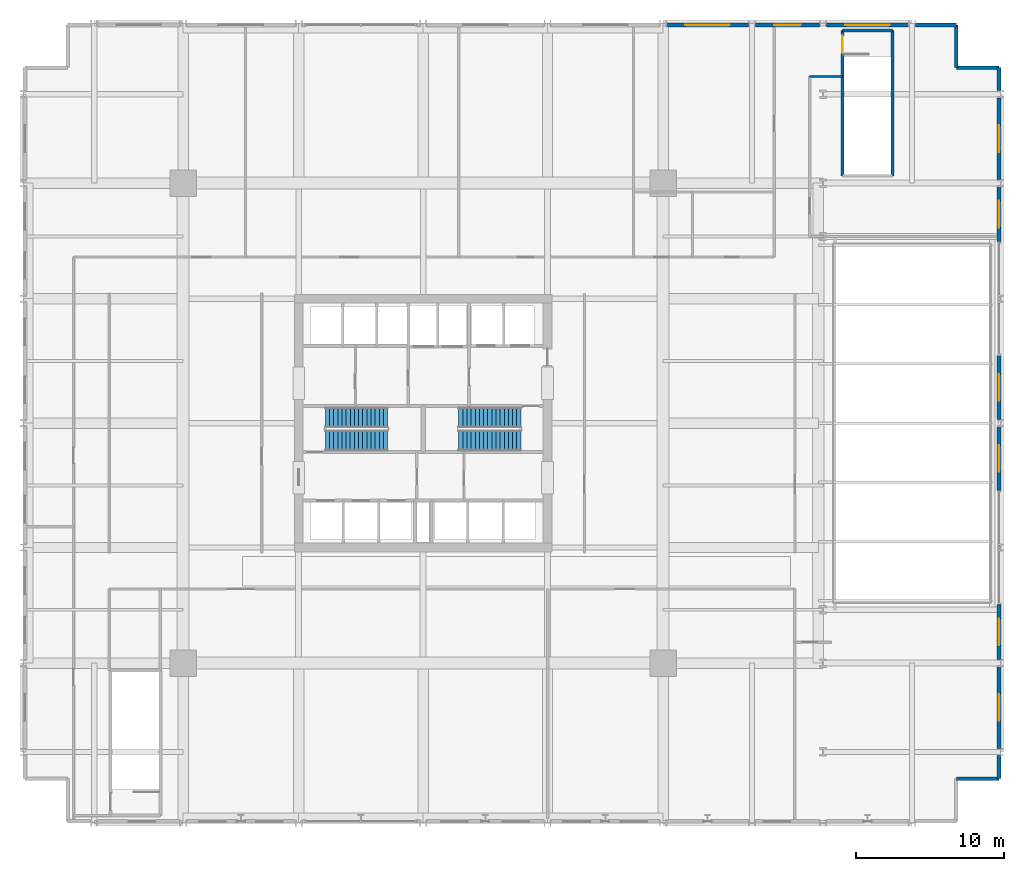
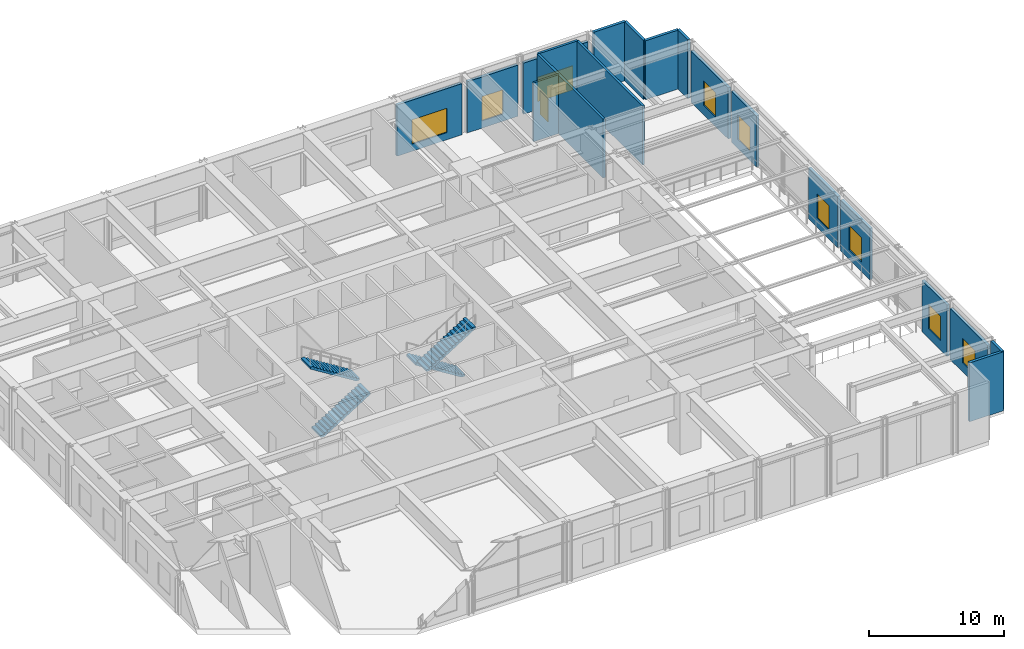
# One storey, part 14 of 19: 19 walls, 9 windows, 4 stair flights, 1 door, 10 openings, 2 elements without a shape of their own.
"""IFC4 building model written with IfcOpenShell, lengths in metres."""

import ifcopenshell
import ifcopenshell.guid

model = None  # the IFC model being written
_history = None  # IfcOwnerHistory: only IFC2X3 demands one
_inside = {}  # id of a spatial element -> (the spatial element, [elements in it])
_under = {}  # id of a project, library or spatial element -> (it, [spatial elements below it])
_declared = {}  # id of a project -> (the project, [libraries it declares])
_typed = {}  # id of a type object -> (the type object, [elements of that type])
_made_of = {}  # id of a material, layer set ... -> (it, [elements and type objects made of it])


def new_model(schema):
    """Start an empty IFC model of exactly this schema.

    Asked for "IFC4X3", IfcOpenShell would pick the latest addendum, in which some entities
    have other attributes; the version numbers below select the first issue.
    IFC2X3 requires an IfcOwnerHistory on every rooted entity: one is made here for all.
    """
    global model, _history
    if schema == "IFC4X3":
        model = ifcopenshell.file(schema_version=(4, 3, 0, 0))
    else:
        model = ifcopenshell.file(schema=schema)
    _inside.clear()
    _under.clear()
    _declared.clear()
    _typed.clear()
    _made_of.clear()
    _history = None
    if model.schema == "IFC2X3":
        org = make("IfcOrganization", Name="unknown")
        user = make(
            "IfcPersonAndOrganization",
            ThePerson=make("IfcPerson", FamilyName="unknown"),
            TheOrganization=org,
        )
        app = make(
            "IfcApplication",
            ApplicationDeveloper=org,
            Version="unknown",
            ApplicationFullName="unknown",
            ApplicationIdentifier="unknown",
        )
        _history = make(
            "IfcOwnerHistory",
            OwningUser=user,
            OwningApplication=app,
            ChangeAction="ADDED",
            CreationDate=0,
        )
    return model


def make(cls, **values):
    """One entity of the class cls with the attributes given. An attribute that is None is left unset."""
    return model.create_entity(
        cls, **{name: value for name, value in values.items() if value is not None}
    )


def rooted(cls, **values):
    """An entity with a GlobalId (a new one), such as an element, a storey or a relation."""
    return make(cls, GlobalId=ifcopenshell.guid.new(), OwnerHistory=_history, **values)


def si_unit(unit_type, name, prefix=None):
    """IfcSIUnit, for example si_unit("LENGTHUNIT", "METRE", prefix="MILLI")."""
    return make("IfcSIUnit", UnitType=unit_type, Prefix=prefix, Name=name)


def assignment(units):
    """IfcUnitAssignment: the units of a project."""
    return None if units is None else make("IfcUnitAssignment", Units=units)


def point(xyz):
    """IfcCartesianPoint."""
    return None if xyz is None else make("IfcCartesianPoint", Coordinates=xyz)


def direction(xyz):
    """IfcDirection."""
    return None if xyz is None else make("IfcDirection", DirectionRatios=xyz)


def frame(location, z_axis=None, x_axis=None):
    """IfcAxis2Placement3D, a coordinate frame: its origin and axes. An axis left out is left unset."""
    return make(
        "IfcAxis2Placement3D",
        Location=point(location),
        Axis=direction(z_axis),
        RefDirection=direction(x_axis),
    )


def frame_2d(location, x_axis=None):
    """IfcAxis2Placement2D, a coordinate frame in the plane: its origin and x axis."""
    return make(
        "IfcAxis2Placement2D", Location=point(location), RefDirection=direction(x_axis)
    )


def origin():
    """The frame at (0, 0, 0) with its axes left unset."""
    return frame((0.0, 0.0, 0.0))


def place(relative_to, where):
    """IfcLocalPlacement: puts the frame where relative to a parent placement (None: the world)."""
    return make(
        "IfcLocalPlacement", PlacementRelTo=relative_to, RelativePlacement=where
    )


def context(
    kind, dimensions, precision=None, world=None, true_north=None, identifier=None
):
    """IfcGeometricRepresentationContext, for example the 3D "Model" context."""
    return make(
        "IfcGeometricRepresentationContext",
        ContextIdentifier=identifier,
        ContextType=kind,
        CoordinateSpaceDimension=dimensions,
        Precision=precision,
        WorldCoordinateSystem=world,
        TrueNorth=true_north,
    )


def subcontext(parent, identifier, kind, view, scale=None):
    """IfcGeometricRepresentationSubContext, for example "Body" below "Model"."""
    return make(
        "IfcGeometricRepresentationSubContext",
        ContextIdentifier=identifier,
        ContextType=kind,
        ParentContext=parent,
        TargetScale=scale,
        TargetView=view,
    )


def project(units=None, contexts=None):
    """IfcProject with its units and contexts."""
    return rooted(
        "IfcProject",
        Name="project",
        RepresentationContexts=contexts,
        UnitsInContext=assignment(units),
    )


def spatial(cls, under=None, at=None, **own):
    """A site, building, storey or space (cls), placed at a placement, below another one or the project."""
    s = rooted(cls, ObjectPlacement=at, **own)
    if under is not None:
        _under.setdefault(under.id(), (under, []))[1].append(s)
    return s


def polyline(points):
    """IfcPolyline through the points."""
    return make("IfcPolyline", Points=[point(p) for p in points])


def profile(cls, at=None, kind="AREA", **sizes):
    """A parametric profile (cls). Its sizes go by their IFC names, for example OverallWidth=200.0."""
    return make(cls, ProfileType=kind, Position=at, **sizes)


def rectangle(**sizes):
    """IfcRectangleProfileDef."""
    return profile("IfcRectangleProfileDef", **sizes)


def outline(outer, holes=None, kind="AREA"):
    """IfcArbitraryClosedProfileDef: a profile drawn as a closed curve; with holes, ...WithVoids."""
    if holes is None:
        return make("IfcArbitraryClosedProfileDef", ProfileType=kind, OuterCurve=outer)
    return make(
        "IfcArbitraryProfileDefWithVoids",
        ProfileType=kind,
        OuterCurve=outer,
        InnerCurves=holes,
    )


def extrude(swept, where, along, depth):
    """IfcExtrudedAreaSolid: the profile swept, set in the frame where, extruded along a direction by depth."""
    return make(
        "IfcExtrudedAreaSolid",
        SweptArea=swept,
        Position=where,
        ExtrudedDirection=direction(along),
        Depth=depth,
    )


def shape(context_of_items, identifier, shape_type, items):
    """IfcShapeRepresentation: the items that make up one representation, for example the "Body"."""
    return make(
        "IfcShapeRepresentation",
        ContextOfItems=context_of_items,
        RepresentationIdentifier=identifier,
        RepresentationType=shape_type,
        Items=items,
    )


def material(Name=None, Category=None):
    """IfcMaterial."""
    return make("IfcMaterial", Name=Name, Category=Category)


def layer(
    of_material, thickness, ventilated=None, Name=None, Category=None, Priority=None
):
    """IfcMaterialLayer: one layer of a wall or slab, of a material (None: an air gap)."""
    return make(
        "IfcMaterialLayer",
        Material=of_material,
        LayerThickness=thickness,
        IsVentilated=ventilated,
        Name=Name,
        Category=Category,
        Priority=Priority,
    )


def layer_set(layers, Name=None):
    """IfcMaterialLayerSet."""
    return make("IfcMaterialLayerSet", MaterialLayers=layers, LayerSetName=Name)


def made_of(thing, what):
    """Note that an element or type object is made of a material, layer set ...; save() writes the relation."""
    if what is not None:
        _made_of.setdefault(what.id(), (what, []))[1].append(thing)
    return thing


def type_object(cls, material=None, **own):
    """A type object (cls), such as IfcWallType, which elements share."""
    return made_of(rooted(cls, **own), material)


def element(
    cls,
    number,
    at=None,
    inside=None,
    cuts=None,
    type_object=None,
    material=None,
    context=None,
    identifier="Body",
    shape_type=None,
    held_by="IfcProductDefinitionShape",
    body=None,
    shapes=None,
    **own,
):
    """One element of the class cls, such as IfcWall. Its Tag is "e" and its number.

    at: its placement. inside: the storey or other place that contains it. cuts: it is an
    opening in that element (IfcRelVoidsElement). A single representation is given by context,
    identifier, shape_type and body (its items); several are given by shapes. held_by: the class
    of the entity that holds the representations. save() writes the other relations.
    """
    e = rooted(cls, Tag="e%d" % number, ObjectPlacement=at, **own)
    if body is not None:
        shapes = [shape(context, identifier, shape_type, body)]
    if shapes is not None:
        e.Representation = make(held_by, Representations=shapes)
    if inside is not None:
        _inside.setdefault(inside.id(), (inside, []))[1].append(e)
    if cuts is not None:
        rooted(
            "IfcRelVoidsElement", RelatingBuildingElement=cuts, RelatedOpeningElement=e
        )
    if type_object is not None:
        _typed.setdefault(type_object.id(), (type_object, []))[1].append(e)
    return made_of(e, material)


def fill(opening, filler):
    """IfcRelFillsElement: the door or window that sits in an opening."""
    return rooted(
        "IfcRelFillsElement",
        RelatingOpeningElement=opening,
        RelatedBuildingElement=filler,
    )


def aggregate(whole, parts):
    """IfcRelAggregates: a whole, such as a stair, and the parts it consists of."""
    return rooted("IfcRelAggregates", RelatingObject=whole, RelatedObjects=parts)


def save(model, path):
    """Write the relations noted so far, then the file.

    IfcRelAggregates (storeys below a building ...), IfcRelContainedInSpatialStructure (elements
    in a storey), IfcRelDefinesByType, IfcRelAssociatesMaterial and IfcRelDeclares: one each for
    every whole, place, type object, material and project.
    """
    for whole, parts in _under.values():
        aggregate(whole, parts)
    for where, things in _inside.values():
        rooted(
            "IfcRelContainedInSpatialStructure",
            RelatedElements=things,
            RelatingStructure=where,
        )
    for kind, things in _typed.values():
        rooted("IfcRelDefinesByType", RelatedObjects=things, RelatingType=kind)
    for what, things in _made_of.values():
        rooted("IfcRelAssociatesMaterial", RelatedObjects=things, RelatingMaterial=what)
    for by, libraries in _declared.values():
        rooted("IfcRelDeclares", RelatingContext=by, RelatedDefinitions=libraries)
    model.write(path)


model = new_model("IFC4")

# Units and contexts
model_context = context("Model", 3, precision=1e-05, world=origin(), true_north=direction((0.0, 1.0)))
body_context = subcontext(model_context, "Body", "Model", "MODEL_VIEW")
ifc_project = project(units=[si_unit("LENGTHUNIT", "METRE"), si_unit("AREAUNIT", "SQUARE_METRE"), si_unit("VOLUMEUNIT", "CUBIC_METRE"), si_unit("PLANEANGLEUNIT", "RADIAN"), si_unit("MASSUNIT", "GRAM", prefix="KILO")], contexts=[model_context])

# Site, building, storey
site_placement = place(None, origin())
site = spatial("IfcSite", under=ifc_project, at=site_placement, CompositionType="ELEMENT")
building_placement = place(site_placement, origin())
building = spatial("IfcBuilding", under=site, at=building_placement, Name="Drelvath Grand Hotel", CompositionType="ELEMENT")
storey_placement = place(building_placement, frame((0.0, 0.0, 27.60009765625)))
storey = spatial("IfcBuildingStorey", under=building, at=storey_placement, Name="L05", CompositionType="ELEMENT", Elevation=27.60009765625)

# Wall, opening, door
ifc_material_1 = material(Name="Concrete C40/50", Category="concrete")
ifc_layer_1 = layer(ifc_material_1, 0.199951171875)
ifc_layer_set_1 = layer_set([ifc_layer_1], Name="Concrete C40/50")
wall_type_1 = type_object("IfcWallType", Name="Core Shaft Fire Wall 200", PredefinedType="SOLIDWALL", material=ifc_layer_set_1)
wall_1_placement = place(storey_placement, frame((28.320068359375, 43.699951171875, 0.0), z_axis=(0.0, 0.0, 1.0), x_axis=(0.0, 1.0, 0.0)))
wall_1 = element("IfcWall", 1, at=wall_1_placement, inside=storey, type_object=wall_type_1, Name="L05 Stair ST-4 West Wall", PredefinedType="SOLIDWALL", context=body_context, shape_type="SweptSolid", body=[
    extrude(rectangle(XDim=9.800048828125, YDim=0.199951171875, at=frame_2d((4.89990234375, 0.0))), origin(), (0.0, 0.0, 1.0), 5.31982421875),
])
opening_1_placement = place(wall_1_placement, frame((8.300048828125, 0.0, 0.0)))
opening_1 = element("IfcOpeningElement", 2, at=opening_1_placement, cuts=wall_1, Name="Opening D-L05-018", PredefinedType="OPENING", context=body_context, shape_type="SweptSolid", body=[
    extrude(rectangle(XDim=1.14990234375, YDim=2.14990234375, at=frame_2d((0.574951171875, 1.074951171875))), frame((0.0, 0.10986328125, 0.0), z_axis=(0.0, -1.0, 0.0), x_axis=(1.0, 0.0, 0.0)), (0.0, 0.0, 1.0), 0.219970703125),
])
ifc_material_2 = material(Name="Painted Steel S275", Category="steel")
door_type = type_object("IfcDoorType", Name="Podium Stairwell Fire Door 1150x2150", OperationType="NOTDEFINED", PredefinedType="DOOR", material=ifc_material_2)
door_placement = place(opening_1_placement, origin())
door = element("IfcDoor", 3, at=door_placement, inside=storey, type_object=door_type, Name="L05 Exit Stair ST-4 Entry Door", OperationType="SINGLE_SWING_RIGHT", OverallHeight=2.14990234375, OverallWidth=1.14990234375, PredefinedType="DOOR", context=body_context, shape_type="SweptSolid", body=[
    extrude(rectangle(XDim=1.14990234375, YDim=2.14990234375, at=frame_2d((0.574951171875, 1.074951171875))), frame((0.0, 0.02490234375, 0.0), z_axis=(0.0, -1.0, 0.0), x_axis=(1.0, 0.0, 0.0)), (0.0, 0.0, 1.0), 0.050048828125),
])
fill(opening_1, door)

# Walls
wall_2_placement = place(storey_placement, frame((31.679931640625, 53.5, 0.0), z_axis=(0.0, 0.0, 1.0), x_axis=(0.0, -1.0, 0.0)))
element("IfcWall", 4, at=wall_2_placement, inside=storey, type_object=wall_type_1, Name="L05 Stair ST-4 East Wall", PredefinedType="SOLIDWALL", context=body_context, shape_type="SweptSolid", body=[
    extrude(rectangle(XDim=9.800048828125, YDim=0.199951171875, at=frame_2d((4.89990234375, 0.0))), origin(), (0.0, 0.0, 1.0), 5.31982421875),
])
wall_3_placement = place(storey_placement, frame((31.679931640625, 53.5, 0.0), z_axis=(0.0, 0.0, 1.0), x_axis=(-1.0, 0.0, 0.0)))
element("IfcWall", 5, at=wall_3_placement, inside=storey, type_object=wall_type_1, Name="L05 Stair ST-4 North Wall", PredefinedType="SOLIDWALL", context=body_context, shape_type="SweptSolid", body=[
    extrude(rectangle(XDim=3.35986328125, YDim=0.199951171875, at=frame_2d((1.679931640625, 0.0))), origin(), (0.0, 0.0, 1.0), 5.31982421875),
])
ifc_material_3 = material(Name="Insulated Granite Rainscreen Assembly", Category="masonry")
ifc_layer_2 = layer(ifc_material_3, 0.239990234375)
ifc_layer_set_2 = layer_set([ifc_layer_2], Name="Insulated Granite Rainscreen Assembly")
wall_type_2 = type_object("IfcWallType", Name="Podium Granite Rainscreen Exterior Wall 240", PredefinedType="STANDARD", material=ifc_layer_set_2)
wall_4_placement = place(storey_placement, frame((38.8798828125, 4.55908203125, 0.0), z_axis=(0.0, 0.0, 1.0), x_axis=(0.0, -1.0, 0.0)))
element("IfcWall", 6, at=wall_4_placement, inside=storey, type_object=wall_type_2, Name="L05 East Podium Granite Wall 1", PredefinedType="STANDARD", context=body_context, shape_type="SweptSolid", body=[
    extrude(rectangle(XDim=1.55908203125, YDim=0.239990234375, at=frame_2d((0.779541015625, 0.0))), origin(), (0.0, 0.0, 1.0), 5.31982421875),
])

# Wall, opening, window
wall_5_placement = place(storey_placement, frame((38.8798828125, 10.55908203125, 0.0), z_axis=(0.0, 0.0, 1.0), x_axis=(0.0, -1.0, 0.0)))
wall_5 = element("IfcWall", 7, at=wall_5_placement, inside=storey, type_object=wall_type_2, Name="L05 East Podium Granite Wall 2", PredefinedType="STANDARD", context=body_context, shape_type="SweptSolid", body=[
    extrude(rectangle(XDim=5.51806640625, YDim=0.239990234375, at=frame_2d((2.759033203125, 0.0))), origin(), (0.0, 0.0, 1.0), 4.62451171875),
])
opening_2_placement = place(wall_5_placement, frame((1.859130859375, 0.0, 0.85009765625)))
opening_2 = element("IfcOpeningElement", 8, at=opening_2_placement, cuts=wall_5, Name="Opening W-02", PredefinedType="OPENING", context=body_context, shape_type="SweptSolid", body=[
    extrude(rectangle(XDim=1.800048828125, YDim=2.199951171875, at=frame_2d((0.89990234375, 1.10009765625))), frame((0.0, 0.1298828125, 0.0), z_axis=(0.0, -1.0, 0.0), x_axis=(1.0, 0.0, 0.0)), (0.0, 0.0, 1.0), 0.260009765625),
])
ifc_material_4 = material(Name="Bronze Anodised Low-E Triple Glazing", Category="glass")
window_type_1 = type_object("IfcWindowType", Name="Chicago Double-Pane Podium Window 1800x2400", PartitioningType="DOUBLE_PANEL_VERTICAL", PredefinedType="WINDOW", material=ifc_material_4)
window_1_placement = place(opening_2_placement, origin())
window_1 = element("IfcWindow", 9, at=window_1_placement, inside=storey, type_object=window_type_1, Name="L05 East Podium Window 2", OverallHeight=2.199951171875, OverallWidth=1.800048828125, PartitioningType="SINGLE_PANEL", PredefinedType="WINDOW", context=body_context, shape_type="SweptSolid", body=[
    extrude(rectangle(XDim=1.800048828125, YDim=2.199951171875, at=frame_2d((0.89990234375, 1.10009765625))), frame((0.0, 0.030029296875, 0.0), z_axis=(0.0, -1.0, 0.0), x_axis=(1.0, 0.0, 0.0)), (0.0, 0.0, 1.0), 0.06005859375),
])
fill(opening_2, window_1)

wall_6_placement = place(storey_placement, frame((38.8798828125, 14.75, 0.0), z_axis=(0.0, 0.0, 1.0), x_axis=(0.0, -1.0, 0.0)))
wall_6 = element("IfcWall", 10, at=wall_6_placement, inside=storey, type_object=wall_type_2, Name="L05 East Podium Granite Wall 3", PredefinedType="STANDARD", context=body_context, shape_type="SweptSolid", body=[
    extrude(rectangle(XDim=3.708984375, YDim=0.239990234375, at=frame_2d((1.8544921875, 0.0))), origin(), (0.0, 0.0, 1.0), 4.62451171875),
])
opening_3_placement = place(wall_6_placement, frame((0.95458984375, 0.0, 0.85009765625)))
opening_3 = element("IfcOpeningElement", 11, at=opening_3_placement, cuts=wall_6, Name="Opening W-02", PredefinedType="OPENING", context=body_context, shape_type="SweptSolid", body=[
    extrude(rectangle(XDim=1.800048828125, YDim=2.199951171875, at=frame_2d((0.89990234375, 1.10009765625))), frame((0.0, 0.1298828125, 0.0), z_axis=(0.0, -1.0, 0.0), x_axis=(1.0, 0.0, 0.0)), (0.0, 0.0, 1.0), 0.260009765625),
])
window_2_placement = place(opening_3_placement, origin())
window_2 = element("IfcWindow", 12, at=window_2_placement, inside=storey, type_object=window_type_1, Name="L05 East Podium Window 3", OverallHeight=2.199951171875, OverallWidth=1.800048828125, PartitioningType="SINGLE_PANEL", PredefinedType="WINDOW", context=body_context, shape_type="SweptSolid", body=[
    extrude(rectangle(XDim=1.800048828125, YDim=2.199951171875, at=frame_2d((0.89990234375, 1.10009765625))), frame((0.0, 0.030029296875, 0.0), z_axis=(0.0, -1.0, 0.0), x_axis=(1.0, 0.0, 0.0)), (0.0, 0.0, 1.0), 0.06005859375),
])
fill(opening_3, window_2)

wall_7_placement = place(storey_placement, frame((38.8798828125, 26.759033203125, 0.0), z_axis=(0.0, 0.0, 1.0), x_axis=(0.0, -1.0, 0.0)))
wall_7 = element("IfcWall", 13, at=wall_7_placement, inside=storey, type_object=wall_type_2, Name="L05 East Podium Granite Wall 4", PredefinedType="STANDARD", context=body_context, shape_type="SweptSolid", body=[
    extrude(rectangle(XDim=4.30908203125, YDim=0.239990234375, at=frame_2d((2.154541015625, 0.0))), origin(), (0.0, 0.0, 1.0), 4.62451171875),
])
opening_4_placement = place(wall_7_placement, frame((1.254638671875, 0.0, 0.85009765625)))
opening_4 = element("IfcOpeningElement", 14, at=opening_4_placement, cuts=wall_7, Name="Opening W-02", PredefinedType="OPENING", context=body_context, shape_type="SweptSolid", body=[
    extrude(rectangle(XDim=1.800048828125, YDim=2.199951171875, at=frame_2d((0.89990234375, 1.10009765625))), frame((0.0, 0.1298828125, 0.0), z_axis=(0.0, -1.0, 0.0), x_axis=(1.0, 0.0, 0.0)), (0.0, 0.0, 1.0), 0.260009765625),
])
window_3_placement = place(opening_4_placement, origin())
window_3 = element("IfcWindow", 15, at=window_3_placement, inside=storey, type_object=window_type_1, Name="L05 East Podium Window 4", OverallHeight=2.199951171875, OverallWidth=1.800048828125, PartitioningType="SINGLE_PANEL", PredefinedType="WINDOW", context=body_context, shape_type="SweptSolid", body=[
    extrude(rectangle(XDim=1.800048828125, YDim=2.199951171875, at=frame_2d((0.89990234375, 1.10009765625))), frame((0.0, 0.030029296875, 0.0), z_axis=(0.0, -1.0, 0.0), x_axis=(1.0, 0.0, 0.0)), (0.0, 0.0, 1.0), 0.06005859375),
])
fill(opening_4, window_3)

wall_8_placement = place(storey_placement, frame((38.8798828125, 31.550048828125, 0.0), z_axis=(0.0, 0.0, 1.0), x_axis=(0.0, -1.0, 0.0)))
wall_8 = element("IfcWall", 16, at=wall_8_placement, inside=storey, type_object=wall_type_2, Name="L05 East Podium Granite Wall 5", PredefinedType="STANDARD", context=body_context, shape_type="SweptSolid", body=[
    extrude(rectangle(XDim=4.30908203125, YDim=0.239990234375, at=frame_2d((2.154541015625, 0.0))), origin(), (0.0, 0.0, 1.0), 4.62451171875),
])
opening_5_placement = place(wall_8_placement, frame((1.254638671875, 0.0, 0.85009765625)))
opening_5 = element("IfcOpeningElement", 17, at=opening_5_placement, cuts=wall_8, Name="Opening W-02", PredefinedType="OPENING", context=body_context, shape_type="SweptSolid", body=[
    extrude(rectangle(XDim=1.800048828125, YDim=2.199951171875, at=frame_2d((0.89990234375, 1.10009765625))), frame((0.0, 0.1298828125, 0.0), z_axis=(0.0, -1.0, 0.0), x_axis=(1.0, 0.0, 0.0)), (0.0, 0.0, 1.0), 0.260009765625),
])
window_4_placement = place(opening_5_placement, origin())
window_4 = element("IfcWindow", 18, at=window_4_placement, inside=storey, type_object=window_type_1, Name="L05 East Podium Window 5", OverallHeight=2.199951171875, OverallWidth=1.800048828125, PartitioningType="SINGLE_PANEL", PredefinedType="WINDOW", context=body_context, shape_type="SweptSolid", body=[
    extrude(rectangle(XDim=1.800048828125, YDim=2.199951171875, at=frame_2d((0.89990234375, 1.10009765625))), frame((0.0, 0.030029296875, 0.0), z_axis=(0.0, -1.0, 0.0), x_axis=(1.0, 0.0, 0.0)), (0.0, 0.0, 1.0), 0.06005859375),
])
fill(opening_5, window_4)

wall_9_placement = place(storey_placement, frame((38.8798828125, 42.958984375, 0.0), z_axis=(0.0, 0.0, 1.0), x_axis=(0.0, -1.0, 0.0)))
wall_9 = element("IfcWall", 19, at=wall_9_placement, inside=storey, type_object=wall_type_2, Name="L05 East Podium Granite Wall 6", PredefinedType="STANDARD", context=body_context, shape_type="SweptSolid", body=[
    extrude(rectangle(XDim=3.708984375, YDim=0.239990234375, at=frame_2d((1.8544921875, 0.0))), origin(), (0.0, 0.0, 1.0), 4.62451171875),
])
opening_6_placement = place(wall_9_placement, frame((0.95458984375, 0.0, 0.85009765625)))
opening_6 = element("IfcOpeningElement", 20, at=opening_6_placement, cuts=wall_9, Name="Opening W-02", PredefinedType="OPENING", context=body_context, shape_type="SweptSolid", body=[
    extrude(rectangle(XDim=1.800048828125, YDim=2.199951171875, at=frame_2d((0.89990234375, 1.10009765625))), frame((0.0, 0.1298828125, 0.0), z_axis=(0.0, -1.0, 0.0), x_axis=(1.0, 0.0, 0.0)), (0.0, 0.0, 1.0), 0.260009765625),
])
window_5_placement = place(opening_6_placement, origin())
window_5 = element("IfcWindow", 21, at=window_5_placement, inside=storey, type_object=window_type_1, Name="L05 East Podium Window 6", OverallHeight=2.199951171875, OverallWidth=1.800048828125, PartitioningType="SINGLE_PANEL", PredefinedType="WINDOW", context=body_context, shape_type="SweptSolid", body=[
    extrude(rectangle(XDim=1.800048828125, YDim=2.199951171875, at=frame_2d((0.89990234375, 1.10009765625))), frame((0.0, 0.030029296875, 0.0), z_axis=(0.0, -1.0, 0.0), x_axis=(1.0, 0.0, 0.0)), (0.0, 0.0, 1.0), 0.06005859375),
])
fill(opening_6, window_5)

wall_10_placement = place(storey_placement, frame((38.8798828125, 48.958984375, 0.0), z_axis=(0.0, 0.0, 1.0), x_axis=(0.0, -1.0, 0.0)))
wall_10 = element("IfcWall", 22, at=wall_10_placement, inside=storey, type_object=wall_type_2, Name="L05 East Podium Granite Wall 7", PredefinedType="STANDARD", context=body_context, shape_type="SweptSolid", body=[
    extrude(rectangle(XDim=5.51806640625, YDim=0.239990234375, at=frame_2d((2.759033203125, 0.0))), origin(), (0.0, 0.0, 1.0), 4.62451171875),
])
opening_7_placement = place(wall_10_placement, frame((1.859130859375, 0.0, 0.85009765625)))
opening_7 = element("IfcOpeningElement", 23, at=opening_7_placement, cuts=wall_10, Name="Opening W-02", PredefinedType="OPENING", context=body_context, shape_type="SweptSolid", body=[
    extrude(rectangle(XDim=1.800048828125, YDim=2.199951171875, at=frame_2d((0.89990234375, 1.10009765625))), frame((0.0, 0.1298828125, 0.0), z_axis=(0.0, -1.0, 0.0), x_axis=(1.0, 0.0, 0.0)), (0.0, 0.0, 1.0), 0.260009765625),
])
window_6_placement = place(opening_7_placement, origin())
window_6 = element("IfcWindow", 24, at=window_6_placement, inside=storey, type_object=window_type_1, Name="L05 East Podium Window 7", OverallHeight=2.199951171875, OverallWidth=1.800048828125, PartitioningType="SINGLE_PANEL", PredefinedType="WINDOW", context=body_context, shape_type="SweptSolid", body=[
    extrude(rectangle(XDim=1.800048828125, YDim=2.199951171875, at=frame_2d((0.89990234375, 1.10009765625))), frame((0.0, 0.030029296875, 0.0), z_axis=(0.0, -1.0, 0.0), x_axis=(1.0, 0.0, 0.0)), (0.0, 0.0, 1.0), 0.06005859375),
])
fill(opening_7, window_6)

# Wall
wall_11_placement = place(storey_placement, frame((38.8798828125, 51.0, 0.0), z_axis=(0.0, 0.0, 1.0), x_axis=(0.0, -1.0, 0.0)))
element("IfcWall", 25, at=wall_11_placement, inside=storey, type_object=wall_type_2, Name="L05 East Podium Granite Wall 8", PredefinedType="STANDARD", context=body_context, shape_type="SweptSolid", body=[
    extrude(rectangle(XDim=1.55908203125, YDim=0.239990234375, at=frame_2d((0.779541015625, 0.0))), origin(), (0.0, 0.0, 1.0), 5.31982421875),
])

# Wall, opening, window
wall_12_placement = place(storey_placement, frame((16.44091796875, 53.8798828125, 0.0), z_axis=(0.0, 0.0, 1.0), x_axis=(1.0, 0.0, 0.0)))
wall_12 = element("IfcWall", 26, at=wall_12_placement, inside=storey, type_object=wall_type_2, Name="L05 North Podium Granite Wall 8", PredefinedType="STANDARD", context=body_context, shape_type="SweptSolid", body=[
    extrude(rectangle(XDim=5.51806640625, YDim=0.239990234375, at=frame_2d((2.759033203125, 0.0))), origin(), (0.0, 0.0, 1.0), 4.62451171875),
])
opening_8_placement = place(wall_12_placement, frame((1.259033203125, 0.0, 0.64990234375)))
opening_8 = element("IfcOpeningElement", 27, at=opening_8_placement, cuts=wall_12, Name="Opening W-03", PredefinedType="OPENING", context=body_context, shape_type="SweptSolid", body=[
    extrude(rectangle(XDim=3.0, YDim=2.199951171875, at=frame_2d((1.5, 1.10009765625))), frame((0.0, 0.1298828125, 0.0), z_axis=(0.0, -1.0, 0.0), x_axis=(1.0, 0.0, 0.0)), (0.0, 0.0, 1.0), 0.260009765625),
])
window_type_2 = type_object("IfcWindowType", Name="Podium Clerestory Ribbon Window 3000x2200", PartitioningType="TRIPLE_PANEL_VERTICAL", PredefinedType="WINDOW", material=ifc_material_4)
window_7_placement = place(opening_8_placement, origin())
window_7 = element("IfcWindow", 28, at=window_7_placement, inside=storey, type_object=window_type_2, Name="L05 North Chicago Window 8", OverallHeight=2.199951171875, OverallWidth=3.0, PartitioningType="SINGLE_PANEL", PredefinedType="WINDOW", context=body_context, shape_type="SweptSolid", body=[
    extrude(rectangle(XDim=3.0, YDim=2.199951171875, at=frame_2d((1.5, 1.10009765625))), frame((0.0, 0.030029296875, 0.0), z_axis=(0.0, -1.0, 0.0), x_axis=(1.0, 0.0, 0.0)), (0.0, 0.0, 1.0), 0.06005859375),
])
fill(opening_8, window_7)

wall_13_placement = place(storey_placement, frame((22.44091796875, 53.8798828125, 0.0), z_axis=(0.0, 0.0, 1.0), x_axis=(1.0, 0.0, 0.0)))
wall_13 = element("IfcWall", 29, at=wall_13_placement, inside=storey, type_object=wall_type_2, Name="L05 North Podium Granite Wall 9", PredefinedType="STANDARD", context=body_context, shape_type="SweptSolid", body=[
    extrude(rectangle(XDim=4.318115234375, YDim=0.239990234375, at=frame_2d((2.1591796875, 0.0))), origin(), (0.0, 0.0, 1.0), 4.62451171875),
])
opening_9_placement = place(wall_13_placement, frame((1.259033203125, 0.0, 0.64990234375)))
opening_9 = element("IfcOpeningElement", 30, at=opening_9_placement, cuts=wall_13, Name="Opening W-02", PredefinedType="OPENING", context=body_context, shape_type="SweptSolid", body=[
    extrude(rectangle(XDim=1.800048828125, YDim=2.199951171875, at=frame_2d((0.89990234375, 1.10009765625))), frame((0.0, 0.1298828125, 0.0), z_axis=(0.0, -1.0, 0.0), x_axis=(1.0, 0.0, 0.0)), (0.0, 0.0, 1.0), 0.260009765625),
])
window_8_placement = place(opening_9_placement, origin())
window_8 = element("IfcWindow", 31, at=window_8_placement, inside=storey, type_object=window_type_1, Name="L05 North Chicago Window 9", OverallHeight=2.199951171875, OverallWidth=1.800048828125, PartitioningType="SINGLE_PANEL", PredefinedType="WINDOW", context=body_context, shape_type="SweptSolid", body=[
    extrude(rectangle(XDim=1.800048828125, YDim=2.199951171875, at=frame_2d((0.89990234375, 1.10009765625))), frame((0.0, 0.030029296875, 0.0), z_axis=(0.0, -1.0, 0.0), x_axis=(1.0, 0.0, 0.0)), (0.0, 0.0, 1.0), 0.06005859375),
])
fill(opening_9, window_8)

wall_14_placement = place(storey_placement, frame((27.240966796875, 53.8798828125, 0.0), z_axis=(0.0, 0.0, 1.0), x_axis=(1.0, 0.0, 0.0)))
wall_14 = element("IfcWall", 32, at=wall_14_placement, inside=storey, type_object=wall_type_2, Name="L05 North Podium Granite Wall 10", PredefinedType="STANDARD", context=body_context, shape_type="SweptSolid", body=[
    extrude(rectangle(XDim=5.51806640625, YDim=0.239990234375, at=frame_2d((2.759033203125, 0.0))), origin(), (0.0, 0.0, 1.0), 4.62451171875),
])
opening_10_placement = place(wall_14_placement, frame((1.259033203125, 0.0, 0.64990234375)))
opening_10 = element("IfcOpeningElement", 33, at=opening_10_placement, cuts=wall_14, Name="Opening W-03", PredefinedType="OPENING", context=body_context, shape_type="SweptSolid", body=[
    extrude(rectangle(XDim=3.0, YDim=2.199951171875, at=frame_2d((1.5, 1.10009765625))), frame((0.0, 0.1298828125, 0.0), z_axis=(0.0, -1.0, 0.0), x_axis=(1.0, 0.0, 0.0)), (0.0, 0.0, 1.0), 0.260009765625),
])
window_9_placement = place(opening_10_placement, origin())
window_9 = element("IfcWindow", 34, at=window_9_placement, inside=storey, type_object=window_type_2, Name="L05 North Chicago Window 10", OverallHeight=2.199951171875, OverallWidth=3.0, PartitioningType="SINGLE_PANEL", PredefinedType="WINDOW", context=body_context, shape_type="SweptSolid", body=[
    extrude(rectangle(XDim=3.0, YDim=2.199951171875, at=frame_2d((1.5, 1.10009765625))), frame((0.0, 0.030029296875, 0.0), z_axis=(0.0, -1.0, 0.0), x_axis=(1.0, 0.0, 0.0)), (0.0, 0.0, 1.0), 0.06005859375),
])
fill(opening_10, window_9)

# Walls
wall_15_placement = place(storey_placement, frame((33.240966796875, 53.8798828125, 0.0), z_axis=(0.0, 0.0, 1.0), x_axis=(1.0, 0.0, 0.0)))
element("IfcWall", 35, at=wall_15_placement, inside=storey, type_object=wall_type_2, Name="L05 North Podium Granite Wall 11", PredefinedType="STANDARD", context=body_context, shape_type="SweptSolid", body=[
    extrude(rectangle(XDim=2.759033203125, YDim=0.239990234375, at=frame_2d((1.37939453125, 0.0))), origin(), (0.0, 0.0, 1.0), 5.31982421875),
])
for number, where, z_axis, x_axis, name in (
    (36, (36.0, 53.8798828125, 0.0), (0.0, 0.0, 1.0), (0.0, -1.0, 0.0), "L05 Podium Corner Return Wall CNE1"),
    (37, (36.0, 51.0, 0.0), (0.0, 0.0, 1.0), (1.0, 0.0, 0.0), "L05 Podium Corner Return Wall CNE2"),
    (38, (38.8798828125, 3.0, 0.0), (0.0, 0.0, 1.0), (-1.0, 0.0, 0.0), "L05 Podium Corner Return Wall CSE1"),
):
    element("IfcWall", number, at=place(storey_placement, frame(where, z_axis=z_axis, x_axis=x_axis)), inside=storey, type_object=wall_type_2, Name=name, PredefinedType="STANDARD", context=body_context, shape_type="SweptSolid", body=[
        extrude(rectangle(XDim=2.8798828125, YDim=0.239990234375, at=frame_2d((1.43994140625, 0.0))), origin(), (0.0, 0.0, 1.0), 5.31982421875),
    ])
ifc_material_5 = material(Name="Gypsum Acoustic Partition")
ifc_layer_3 = layer(ifc_material_5, 0.1650390625)
ifc_layer_set_3 = layer_set([ifc_layer_3], Name="Gypsum Acoustic Partition")
wall_type_3 = type_object("IfcWallType", Name="Suite Demising Wall 165", PredefinedType="PARTITIONING", material=ifc_layer_set_3)
wall_16_placement = place(storey_placement, frame((26.10009765625, 50.39990234375, 0.0), z_axis=(0.0, 0.0, 1.0), x_axis=(1.0, 0.0, 0.0)))
element("IfcWall", 39, at=wall_16_placement, inside=storey, type_object=wall_type_3, Name="L05 ST-4 Vestibule South Wall", PredefinedType="PARTITIONING", context=body_context, shape_type="SweptSolid", body=[
    extrude(rectangle(XDim=2.219970703125, YDim=0.1650390625, at=frame_2d((1.10986328125, 0.0))), origin(), (0.0, 0.0, 1.0), 5.31982421875),
])

# Stair, stair flights
stair_type = type_object("IfcStairType", Name="Dogleg Exit Stair W1400-R175.0", PredefinedType="HALF_TURN_STAIR", material=ifc_material_1)
stair_1_placement = place(storey_placement, origin())
stair_1 = element("IfcStair", 40, at=stair_1_placement, inside=storey, type_object=stair_type, Name="L05 Core Exit Stair ST-1", PredefinedType="HALF_TURN_STAIR")
stair_flight_type = type_object("IfcStairFlightType", Name="Concrete Stair Flight W1400-R175.0", PredefinedType="STRAIGHT", material=ifc_material_1)
stair_flight_1_placement = place(storey_placement, frame((-6.60009765625, 25.820068359375, 0.0), z_axis=(0.0, 0.0, 1.0), x_axis=(1.0, 0.0, 0.0)))
stair_flight_1 = element("IfcStairFlight", 41, at=stair_flight_1_placement, type_object=stair_flight_type, Name="ST-1 flight 1", NumberOfRisers=16, NumberOfTreads=15, PredefinedType="STRAIGHT", RiserHeight=0.175, TreadLength=0.28, context=body_context, shape_type="SweptSolid", body=[
    extrude(outline(polyline([(0.0, 0.0), (0.0, 0.175048828125), (0.280029296875, 0.175048828125), (0.280029296875, 0.35009765625), (0.56005859375, 0.35009765625), (0.56005859375, 0.52490234375), (0.840087890625, 0.52490234375), (0.840087890625, 0.699951171875), (1.1201171875, 0.699951171875), (1.1201171875, 0.875), (1.39990234375, 0.875), (1.39990234375, 1.050048828125), (1.679931640625, 1.050048828125), (1.679931640625, 1.22509765625), (1.9599609375, 1.22509765625), (1.9599609375, 1.39990234375), (2.239990234375, 1.39990234375), (2.239990234375, 1.574951171875), (2.52001953125, 1.574951171875), (2.52001953125, 1.75), (2.800048828125, 1.75), (2.800048828125, 1.925048828125), (3.080078125, 1.925048828125), (3.080078125, 2.10009765625), (3.360107421875, 2.10009765625), (3.360107421875, 2.27490234375), (3.639892578125, 2.27490234375), (3.639892578125, 2.449951171875), (3.919921875, 2.449951171875), (3.919921875, 2.625), (4.199951171875, 2.625), (4.199951171875, 2.800048828125), (4.199951171875, 2.4365234375), (0.3017578125, 0.0), (0.0, 0.0)])), frame((0.0, 0.699951171875, 0.0), z_axis=(0.0, -1.0, 0.0), x_axis=(1.0, 0.0, 0.0)), (0.0, 0.0, 1.0), 1.39990234375),
])
stair_flight_2_placement = place(storey_placement, frame((-2.39990234375, 27.3798828125, 2.7998046875), z_axis=(0.0, 0.0, 1.0), x_axis=(-1.0, 0.0, 0.0)))
stair_flight_2 = element("IfcStairFlight", 42, at=stair_flight_2_placement, type_object=stair_flight_type, Name="ST-1 flight 2", NumberOfRisers=16, NumberOfTreads=15, PredefinedType="STRAIGHT", RiserHeight=0.175, TreadLength=0.28, context=body_context, shape_type="SweptSolid", body=[
    extrude(outline(polyline([(0.0, 0.0), (0.0, 0.175048828125), (0.280029296875, 0.175048828125), (0.280029296875, 0.35009765625), (0.56005859375, 0.35009765625), (0.56005859375, 0.52490234375), (0.840087890625, 0.52490234375), (0.840087890625, 0.699951171875), (1.1201171875, 0.699951171875), (1.1201171875, 0.875), (1.39990234375, 0.875), (1.39990234375, 1.050048828125), (1.679931640625, 1.050048828125), (1.679931640625, 1.22509765625), (1.9599609375, 1.22509765625), (1.9599609375, 1.39990234375), (2.239990234375, 1.39990234375), (2.239990234375, 1.574951171875), (2.52001953125, 1.574951171875), (2.52001953125, 1.75), (2.800048828125, 1.75), (2.800048828125, 1.925048828125), (3.080078125, 1.925048828125), (3.080078125, 2.10009765625), (3.360107421875, 2.10009765625), (3.360107421875, 2.27490234375), (3.639892578125, 2.27490234375), (3.639892578125, 2.449951171875), (3.919921875, 2.449951171875), (3.919921875, 2.625), (4.199951171875, 2.625), (4.199951171875, 2.800048828125), (4.199951171875, 2.4365234375), (0.3017578125, 0.0), (0.0, 0.0)])), frame((0.0, 0.699951171875, 0.0), z_axis=(0.0, -1.0, 0.0), x_axis=(1.0, 0.0, 0.0)), (0.0, 0.0, 1.0), 1.39990234375),
])
aggregate(stair_1, [stair_flight_1, stair_flight_2])

stair_2_placement = place(storey_placement, origin())
stair_2 = element("IfcStair", 43, at=stair_2_placement, inside=storey, type_object=stair_type, Name="L05 Core Exit Stair ST-2", PredefinedType="HALF_TURN_STAIR")
stair_flight_3_placement = place(storey_placement, frame((6.60009765625, 27.3798828125, 0.0), z_axis=(0.0, 0.0, 1.0), x_axis=(-1.0, 0.0, 0.0)))
stair_flight_3 = element("IfcStairFlight", 44, at=stair_flight_3_placement, type_object=stair_flight_type, Name="ST-2 flight 1", NumberOfRisers=16, NumberOfTreads=15, PredefinedType="STRAIGHT", RiserHeight=0.175, TreadLength=0.28, context=body_context, shape_type="SweptSolid", body=[
    extrude(outline(polyline([(0.0, 0.0), (0.0, 0.175048828125), (0.280029296875, 0.175048828125), (0.280029296875, 0.35009765625), (0.56005859375, 0.35009765625), (0.56005859375, 0.52490234375), (0.840087890625, 0.52490234375), (0.840087890625, 0.699951171875), (1.1201171875, 0.699951171875), (1.1201171875, 0.875), (1.39990234375, 0.875), (1.39990234375, 1.050048828125), (1.679931640625, 1.050048828125), (1.679931640625, 1.22509765625), (1.9599609375, 1.22509765625), (1.9599609375, 1.39990234375), (2.239990234375, 1.39990234375), (2.239990234375, 1.574951171875), (2.52001953125, 1.574951171875), (2.52001953125, 1.75), (2.800048828125, 1.75), (2.800048828125, 1.925048828125), (3.080078125, 1.925048828125), (3.080078125, 2.10009765625), (3.360107421875, 2.10009765625), (3.360107421875, 2.27490234375), (3.639892578125, 2.27490234375), (3.639892578125, 2.449951171875), (3.919921875, 2.449951171875), (3.919921875, 2.625), (4.199951171875, 2.625), (4.199951171875, 2.800048828125), (4.199951171875, 2.4365234375), (0.3017578125, 0.0), (0.0, 0.0)])), frame((0.0, 0.699951171875, 0.0), z_axis=(0.0, -1.0, 0.0), x_axis=(1.0, 0.0, 0.0)), (0.0, 0.0, 1.0), 1.39990234375),
])
stair_flight_4_placement = place(storey_placement, frame((2.39990234375, 25.820068359375, 2.7998046875), z_axis=(0.0, 0.0, 1.0), x_axis=(1.0, 0.0, 0.0)))
stair_flight_4 = element("IfcStairFlight", 45, at=stair_flight_4_placement, type_object=stair_flight_type, Name="ST-2 flight 2", NumberOfRisers=16, NumberOfTreads=15, PredefinedType="STRAIGHT", RiserHeight=0.175, TreadLength=0.28, context=body_context, shape_type="SweptSolid", body=[
    extrude(outline(polyline([(0.0, 0.0), (0.0, 0.175048828125), (0.280029296875, 0.175048828125), (0.280029296875, 0.35009765625), (0.56005859375, 0.35009765625), (0.56005859375, 0.52490234375), (0.840087890625, 0.52490234375), (0.840087890625, 0.699951171875), (1.1201171875, 0.699951171875), (1.1201171875, 0.875), (1.39990234375, 0.875), (1.39990234375, 1.050048828125), (1.679931640625, 1.050048828125), (1.679931640625, 1.22509765625), (1.9599609375, 1.22509765625), (1.9599609375, 1.39990234375), (2.239990234375, 1.39990234375), (2.239990234375, 1.574951171875), (2.52001953125, 1.574951171875), (2.52001953125, 1.75), (2.800048828125, 1.75), (2.800048828125, 1.925048828125), (3.080078125, 1.925048828125), (3.080078125, 2.10009765625), (3.360107421875, 2.10009765625), (3.360107421875, 2.27490234375), (3.639892578125, 2.27490234375), (3.639892578125, 2.449951171875), (3.919921875, 2.449951171875), (3.919921875, 2.625), (4.199951171875, 2.625), (4.199951171875, 2.800048828125), (4.199951171875, 2.4365234375), (0.3017578125, 0.0), (0.0, 0.0)])), frame((0.0, 0.699951171875, 0.0), z_axis=(0.0, -1.0, 0.0), x_axis=(1.0, 0.0, 0.0)), (0.0, 0.0, 1.0), 1.39990234375),
])
aggregate(stair_2, [stair_flight_3, stair_flight_4])

save(model, "model.ifc")
